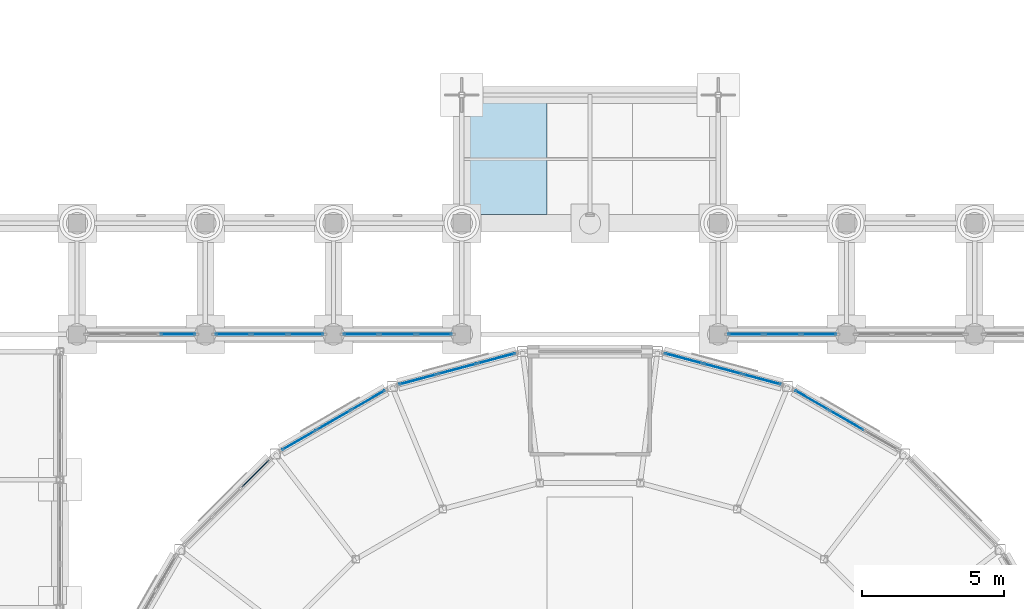
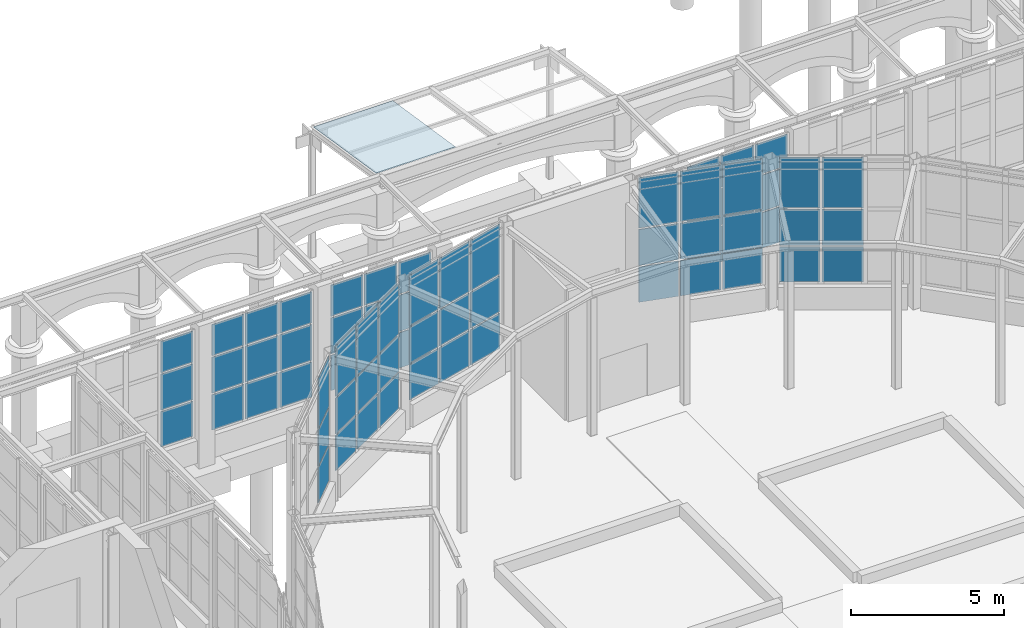
# One storey, part 60 of 106: 67 plates, 9 elements without a shape of their own.
"""IFC4 building model written with IfcOpenShell, lengths in metres."""

from ifc_helpers import new_model, si_unit, direction, frame, origin, origin_2d, place, context, subcontext, project, spatial, polyline, rectangle, outline, extrude, material, layer, layer_set, type_object, element, aggregate, save


model = new_model("IFC4")

# Units and contexts
model_context = context("Model", 3, precision=1e-05, world=origin(), true_north=direction((0.0, 1.0)))
body_context = subcontext(model_context, "Body", "Model", "MODEL_VIEW")
ifc_project = project(units=[si_unit("LENGTHUNIT", "METRE"), si_unit("AREAUNIT", "SQUARE_METRE"), si_unit("VOLUMEUNIT", "CUBIC_METRE"), si_unit("PLANEANGLEUNIT", "RADIAN"), si_unit("MASSUNIT", "GRAM", prefix="KILO")], contexts=[model_context])

# Site, building, storey
site_placement = place(None, origin())
site = spatial("IfcSite", under=ifc_project, at=site_placement, CompositionType="ELEMENT")
building_placement = place(site_placement, origin())
building = spatial("IfcBuilding", under=site, at=building_placement, Name="Hortulan Conservatory and Botanical Research Centre", CompositionType="ELEMENT")
storey_placement = place(building_placement, origin())
storey = spatial("IfcBuildingStorey", under=building, at=storey_placement, Name="L00", CompositionType="ELEMENT", Elevation=0.0)

# Plate
ifc_material_1 = material(Name="Low-e laminated glass", Category="glass")
ifc_layer_1 = layer(ifc_material_1, 0.02099609375)
ifc_layer_set_1 = layer_set([ifc_layer_1], Name="Canopy Glazing Panel 21")
plate_type_1 = type_object("IfcPlateType", Name="Canopy Glazing Panel 21", PredefinedType="SHEET", material=ifc_layer_set_1)
plate_1_placement = place(storey_placement, frame((49.5, 40.800048828125, 5.67431640625), z_axis=(0.0, 0.153692962705, 0.988118653409), x_axis=(1.0, 0.0, 0.0)))
element("IfcPlate", 1, at=plate_1_placement, inside=storey, type_object=plate_type_1, Name="Canopy glazing panel", PredefinedType="SHEET", context=body_context, shape_type="SweptSolid", body=[
    extrude(outline(polyline([(0.0, 0.0), (3.0, 0.0), (3.0, 4.149151016915044), (0.0, 4.149151016915044), (0.0, 0.0)])), origin(), (0.0, 0.0, -1.0), 0.02099609375),
])

# Curtain wall, plates
ifc_material_2 = material(Name="Bronze-finished aluminium", Category="aluminium")
ifc_layer_2 = layer(ifc_material_2, 0.10009765625)
ifc_layer_set_2 = layer_set([ifc_layer_2], Name="Bronze-framed Curtain Wall 1500 module")
curtain_wall_type = type_object("IfcCurtainWallType", Name="Bronze-framed Curtain Wall 1500 module", PredefinedType="NOTDEFINED", material=ifc_layer_set_2)
curtain_wall_1_placement = place(storey_placement, origin())
curtain_wall_1 = element("IfcCurtainWall", 2, at=curtain_wall_1_placement, inside=storey, type_object=curtain_wall_type, Name="Curtain wall", PredefinedType="NOTDEFINED")
ifc_layer_3 = layer(ifc_material_1, 0.028076171875)
ifc_layer_set_3 = layer_set([ifc_layer_3], Name="Laminated Glass Panel 28")
plate_type_2 = type_object("IfcPlateType", Name="Laminated Glass Panel 28", PredefinedType="CURTAIN_PANEL", material=ifc_layer_set_3)
plate_2_placement = place(storey_placement, frame((61.782958984375, 34.291015625, 0.9599609375), z_axis=(0.0, 0.0, 1.0), x_axis=(0.866036280655, -0.499981160235, 0.0)))
plate_2 = element("IfcPlate", 3, at=plate_2_placement, type_object=plate_type_2, Name="CW1 panel 1.1", PredefinedType="CURTAIN_PANEL", context=body_context, shape_type="SweptSolid", body=[
    extrude(rectangle(XDim=1.330078125, YDim=0.028076171875, at=origin_2d()), origin(), (0.0, 0.0, 1.0), 1.409912109375),
])
plate_3_placement = place(storey_placement, frame((61.782958984375, 34.291015625, 2.429931640625), z_axis=(0.0, 0.0, 1.0), x_axis=(0.866036280655, -0.499981160235, 0.0)))
plate_3 = element("IfcPlate", 4, at=plate_3_placement, type_object=plate_type_2, Name="CW1 panel 1.2", PredefinedType="CURTAIN_PANEL", context=body_context, shape_type="SweptSolid", body=[
    extrude(rectangle(XDim=1.330078125, YDim=0.028076171875, at=origin_2d()), origin(), (0.0, 0.0, 1.0), 1.43994140625),
])
plate_4_placement = place(storey_placement, frame((61.782958984375, 34.291015625, 3.93017578125), z_axis=(0.0, 0.0, 1.0), x_axis=(0.866036280655, -0.499981160235, 0.0)))
plate_4 = element("IfcPlate", 5, at=plate_4_placement, type_object=plate_type_2, Name="CW1 panel 1.3", PredefinedType="CURTAIN_PANEL", context=body_context, shape_type="SweptSolid", body=[
    extrude(rectangle(XDim=1.330078125, YDim=0.028076171875, at=origin_2d()), origin(), (0.0, 0.0, 1.0), 2.010009765625),
])
plate_5_placement = place(storey_placement, frame((63.0, 33.58837890625, 0.9599609375), z_axis=(0.0, 0.0, 1.0), x_axis=(0.866036280655, -0.499981160235, 0.0)))
plate_5 = element("IfcPlate", 6, at=plate_5_placement, type_object=plate_type_2, Name="CW1 panel 2.1", PredefinedType="CURTAIN_PANEL", context=body_context, shape_type="SweptSolid", body=[
    extrude(rectangle(XDim=1.360107421875, YDim=0.028076171875, at=origin_2d()), origin(), (0.0, 0.0, 1.0), 1.409912109375),
])
plate_6_placement = place(storey_placement, frame((63.0, 33.58837890625, 2.429931640625), z_axis=(0.0, 0.0, 1.0), x_axis=(0.866036280655, -0.499981160235, 0.0)))
plate_6 = element("IfcPlate", 7, at=plate_6_placement, type_object=plate_type_2, Name="CW1 panel 2.2", PredefinedType="CURTAIN_PANEL", context=body_context, shape_type="SweptSolid", body=[
    extrude(rectangle(XDim=1.360107421875, YDim=0.028076171875, at=origin_2d()), origin(), (0.0, 0.0, 1.0), 1.43994140625),
])
plate_7_placement = place(storey_placement, frame((63.0, 33.58837890625, 3.93017578125), z_axis=(0.0, 0.0, 1.0), x_axis=(0.866036280655, -0.499981160235, 0.0)))
plate_7 = element("IfcPlate", 8, at=plate_7_placement, type_object=plate_type_2, Name="CW1 panel 2.3", PredefinedType="CURTAIN_PANEL", context=body_context, shape_type="SweptSolid", body=[
    extrude(rectangle(XDim=1.360107421875, YDim=0.028076171875, at=origin_2d()), origin(), (0.0, 0.0, 1.0), 2.010009765625),
])
aggregate(curtain_wall_1, [plate_2, plate_3, plate_4, plate_5, plate_6, plate_7])

curtain_wall_2_placement = place(storey_placement, origin())
curtain_wall_2 = element("IfcCurtainWall", 9, at=curtain_wall_2_placement, inside=storey, type_object=curtain_wall_type, Name="Curtain wall", PredefinedType="NOTDEFINED")
plate_8_placement = place(storey_placement, frame((57.285400390625, 35.754638671875, 0.9599609375), z_axis=(0.0, 0.0, 1.0), x_axis=(0.965922372015, -0.258831936284, 0.0)))
plate_8 = element("IfcPlate", 10, at=plate_8_placement, type_object=plate_type_2, Name="CW1 panel 1.1", PredefinedType="CURTAIN_PANEL", context=body_context, shape_type="SweptSolid", body=[
    extrude(rectangle(XDim=1.346923828125, YDim=0.028076171875, at=origin_2d()), origin(), (0.0, 0.0, 1.0), 1.409912109375),
])
plate_9_placement = place(storey_placement, frame((57.285400390625, 35.754638671875, 2.429931640625), z_axis=(0.0, 0.0, 1.0), x_axis=(0.965922372015, -0.258831936284, 0.0)))
plate_9 = element("IfcPlate", 11, at=plate_9_placement, type_object=plate_type_2, Name="CW1 panel 1.2", PredefinedType="CURTAIN_PANEL", context=body_context, shape_type="SweptSolid", body=[
    extrude(rectangle(XDim=1.346923828125, YDim=0.028076171875, at=origin_2d()), origin(), (0.0, 0.0, 1.0), 1.43994140625),
])
plate_10_placement = place(storey_placement, frame((57.285400390625, 35.754638671875, 3.93017578125), z_axis=(0.0, 0.0, 1.0), x_axis=(0.965922372015, -0.258831936284, 0.0)))
plate_10 = element("IfcPlate", 12, at=plate_10_placement, type_object=plate_type_2, Name="CW1 panel 1.3", PredefinedType="CURTAIN_PANEL", context=body_context, shape_type="SweptSolid", body=[
    extrude(rectangle(XDim=1.346923828125, YDim=0.028076171875, at=origin_2d()), origin(), (0.0, 0.0, 1.0), 2.010009765625),
])
plate_11_placement = place(storey_placement, frame((58.658935546875, 35.38671875, 0.9599609375), z_axis=(0.0, 0.0, 1.0), x_axis=(0.965922372015, -0.258831936284, 0.0)))
plate_11 = element("IfcPlate", 13, at=plate_11_placement, type_object=plate_type_2, Name="CW1 panel 2.1", PredefinedType="CURTAIN_PANEL", context=body_context, shape_type="SweptSolid", body=[
    extrude(rectangle(XDim=1.376953125, YDim=0.028076171875, at=origin_2d()), origin(), (0.0, 0.0, 1.0), 1.409912109375),
])
plate_12_placement = place(storey_placement, frame((58.658935546875, 35.38671875, 2.429931640625), z_axis=(0.0, 0.0, 1.0), x_axis=(0.965922372015, -0.258831936284, 0.0)))
plate_12 = element("IfcPlate", 14, at=plate_12_placement, type_object=plate_type_2, Name="CW1 panel 2.2", PredefinedType="CURTAIN_PANEL", context=body_context, shape_type="SweptSolid", body=[
    extrude(rectangle(XDim=1.376953125, YDim=0.028076171875, at=origin_2d()), origin(), (0.0, 0.0, 1.0), 1.43994140625),
])
plate_13_placement = place(storey_placement, frame((58.658935546875, 35.38671875, 3.93017578125), z_axis=(0.0, 0.0, 1.0), x_axis=(0.965922372015, -0.258831936284, 0.0)))
plate_13 = element("IfcPlate", 15, at=plate_13_placement, type_object=plate_type_2, Name="CW1 panel 2.3", PredefinedType="CURTAIN_PANEL", context=body_context, shape_type="SweptSolid", body=[
    extrude(rectangle(XDim=1.376953125, YDim=0.028076171875, at=origin_2d()), origin(), (0.0, 0.0, 1.0), 2.010009765625),
])
plate_14_placement = place(storey_placement, frame((60.032470703125, 35.0185546875, 0.9599609375), z_axis=(0.0, 0.0, 1.0), x_axis=(0.965922372015, -0.258831936284, 0.0)))
plate_14 = element("IfcPlate", 16, at=plate_14_placement, type_object=plate_type_2, Name="CW1 panel 3.1", PredefinedType="CURTAIN_PANEL", context=body_context, shape_type="SweptSolid", body=[
    extrude(rectangle(XDim=1.346923828125, YDim=0.028076171875, at=origin_2d()), origin(), (0.0, 0.0, 1.0), 1.409912109375),
])
plate_15_placement = place(storey_placement, frame((60.032470703125, 35.0185546875, 2.429931640625), z_axis=(0.0, 0.0, 1.0), x_axis=(0.965922372015, -0.258831936284, 0.0)))
plate_15 = element("IfcPlate", 17, at=plate_15_placement, type_object=plate_type_2, Name="CW1 panel 3.2", PredefinedType="CURTAIN_PANEL", context=body_context, shape_type="SweptSolid", body=[
    extrude(rectangle(XDim=1.346923828125, YDim=0.028076171875, at=origin_2d()), origin(), (0.0, 0.0, 1.0), 1.43994140625),
])
plate_16_placement = place(storey_placement, frame((60.032470703125, 35.0185546875, 3.93017578125), z_axis=(0.0, 0.0, 1.0), x_axis=(0.965922372015, -0.258831936284, 0.0)))
plate_16 = element("IfcPlate", 18, at=plate_16_placement, type_object=plate_type_2, Name="CW1 panel 3.3", PredefinedType="CURTAIN_PANEL", context=body_context, shape_type="SweptSolid", body=[
    extrude(rectangle(XDim=1.346923828125, YDim=0.028076171875, at=origin_2d()), origin(), (0.0, 0.0, 1.0), 2.010009765625),
])
aggregate(curtain_wall_2, [plate_8, plate_9, plate_10, plate_11, plate_12, plate_13, plate_14, plate_15, plate_16])

curtain_wall_3_placement = place(storey_placement, origin())
curtain_wall_3 = element("IfcCurtainWall", 19, at=curtain_wall_3_placement, inside=storey, type_object=curtain_wall_type, Name="Curtain wall", PredefinedType="NOTDEFINED")
plate_17_placement = place(storey_placement, frame((47.967529296875, 35.0185546875, 0.9599609375), z_axis=(0.0, 0.0, 1.0), x_axis=(0.965922372015, 0.258831936284, 0.0)))
plate_17 = element("IfcPlate", 20, at=plate_17_placement, type_object=plate_type_2, Name="CW1 panel 1.1", PredefinedType="CURTAIN_PANEL", context=body_context, shape_type="SweptSolid", body=[
    extrude(rectangle(XDim=1.346923828125, YDim=0.028076171875, at=origin_2d()), origin(), (0.0, 0.0, 1.0), 1.409912109375),
])
plate_18_placement = place(storey_placement, frame((47.967529296875, 35.0185546875, 2.429931640625), z_axis=(0.0, 0.0, 1.0), x_axis=(0.965922372015, 0.258831936284, 0.0)))
plate_18 = element("IfcPlate", 21, at=plate_18_placement, type_object=plate_type_2, Name="CW1 panel 1.2", PredefinedType="CURTAIN_PANEL", context=body_context, shape_type="SweptSolid", body=[
    extrude(rectangle(XDim=1.346923828125, YDim=0.028076171875, at=origin_2d()), origin(), (0.0, 0.0, 1.0), 1.43994140625),
])
plate_19_placement = place(storey_placement, frame((47.967529296875, 35.0185546875, 3.93017578125), z_axis=(0.0, 0.0, 1.0), x_axis=(0.965922372015, 0.258831936284, 0.0)))
plate_19 = element("IfcPlate", 22, at=plate_19_placement, type_object=plate_type_2, Name="CW1 panel 1.3", PredefinedType="CURTAIN_PANEL", context=body_context, shape_type="SweptSolid", body=[
    extrude(rectangle(XDim=1.346923828125, YDim=0.028076171875, at=origin_2d()), origin(), (0.0, 0.0, 1.0), 2.010009765625),
])
plate_20_placement = place(storey_placement, frame((49.341064453125, 35.38671875, 0.9599609375), z_axis=(0.0, 0.0, 1.0), x_axis=(0.965922372015, 0.258831936284, 0.0)))
plate_20 = element("IfcPlate", 23, at=plate_20_placement, type_object=plate_type_2, Name="CW1 panel 2.1", PredefinedType="CURTAIN_PANEL", context=body_context, shape_type="SweptSolid", body=[
    extrude(rectangle(XDim=1.376953125, YDim=0.028076171875, at=origin_2d()), origin(), (0.0, 0.0, 1.0), 1.409912109375),
])
plate_21_placement = place(storey_placement, frame((49.341064453125, 35.38671875, 2.429931640625), z_axis=(0.0, 0.0, 1.0), x_axis=(0.965922372015, 0.258831936284, 0.0)))
plate_21 = element("IfcPlate", 24, at=plate_21_placement, type_object=plate_type_2, Name="CW1 panel 2.2", PredefinedType="CURTAIN_PANEL", context=body_context, shape_type="SweptSolid", body=[
    extrude(rectangle(XDim=1.376953125, YDim=0.028076171875, at=origin_2d()), origin(), (0.0, 0.0, 1.0), 1.43994140625),
])
plate_22_placement = place(storey_placement, frame((49.341064453125, 35.38671875, 3.93017578125), z_axis=(0.0, 0.0, 1.0), x_axis=(0.965922372015, 0.258831936284, 0.0)))
plate_22 = element("IfcPlate", 25, at=plate_22_placement, type_object=plate_type_2, Name="CW1 panel 2.3", PredefinedType="CURTAIN_PANEL", context=body_context, shape_type="SweptSolid", body=[
    extrude(rectangle(XDim=1.376953125, YDim=0.028076171875, at=origin_2d()), origin(), (0.0, 0.0, 1.0), 2.010009765625),
])
plate_23_placement = place(storey_placement, frame((50.714599609375, 35.754638671875, 0.9599609375), z_axis=(0.0, 0.0, 1.0), x_axis=(0.965922372015, 0.258831936284, 0.0)))
plate_23 = element("IfcPlate", 26, at=plate_23_placement, type_object=plate_type_2, Name="CW1 panel 3.1", PredefinedType="CURTAIN_PANEL", context=body_context, shape_type="SweptSolid", body=[
    extrude(rectangle(XDim=1.346923828125, YDim=0.028076171875, at=origin_2d()), origin(), (0.0, 0.0, 1.0), 1.409912109375),
])
plate_24_placement = place(storey_placement, frame((50.714599609375, 35.754638671875, 2.429931640625), z_axis=(0.0, 0.0, 1.0), x_axis=(0.965922372015, 0.258831936284, 0.0)))
plate_24 = element("IfcPlate", 27, at=plate_24_placement, type_object=plate_type_2, Name="CW1 panel 3.2", PredefinedType="CURTAIN_PANEL", context=body_context, shape_type="SweptSolid", body=[
    extrude(rectangle(XDim=1.346923828125, YDim=0.028076171875, at=origin_2d()), origin(), (0.0, 0.0, 1.0), 1.43994140625),
])
plate_25_placement = place(storey_placement, frame((50.714599609375, 35.754638671875, 3.93017578125), z_axis=(0.0, 0.0, 1.0), x_axis=(0.965922372015, 0.258831936284, 0.0)))
plate_25 = element("IfcPlate", 28, at=plate_25_placement, type_object=plate_type_2, Name="CW1 panel 3.3", PredefinedType="CURTAIN_PANEL", context=body_context, shape_type="SweptSolid", body=[
    extrude(rectangle(XDim=1.346923828125, YDim=0.028076171875, at=origin_2d()), origin(), (0.0, 0.0, 1.0), 2.010009765625),
])
aggregate(curtain_wall_3, [plate_17, plate_18, plate_19, plate_20, plate_21, plate_22, plate_23, plate_24, plate_25])

curtain_wall_4_placement = place(storey_placement, origin())
curtain_wall_4 = element("IfcCurtainWall", 29, at=curtain_wall_4_placement, inside=storey, type_object=curtain_wall_type, Name="Curtain wall", PredefinedType="NOTDEFINED")
plate_26_placement = place(storey_placement, frame((43.782958984375, 32.885986328125, 0.9599609375), z_axis=(0.0, 0.0, 1.0), x_axis=(0.866036280655, 0.499981160235, 0.0)))
plate_26 = element("IfcPlate", 30, at=plate_26_placement, type_object=plate_type_2, Name="CW1 panel 1.1", PredefinedType="CURTAIN_PANEL", context=body_context, shape_type="SweptSolid", body=[
    extrude(rectangle(XDim=1.330078125, YDim=0.028076171875, at=origin_2d()), origin(), (0.0, 0.0, 1.0), 1.409912109375),
])
plate_27_placement = place(storey_placement, frame((43.782958984375, 32.885986328125, 2.429931640625), z_axis=(0.0, 0.0, 1.0), x_axis=(0.866036280655, 0.499981160235, 0.0)))
plate_27 = element("IfcPlate", 31, at=plate_27_placement, type_object=plate_type_2, Name="CW1 panel 1.2", PredefinedType="CURTAIN_PANEL", context=body_context, shape_type="SweptSolid", body=[
    extrude(rectangle(XDim=1.330078125, YDim=0.028076171875, at=origin_2d()), origin(), (0.0, 0.0, 1.0), 1.43994140625),
])
plate_28_placement = place(storey_placement, frame((43.782958984375, 32.885986328125, 3.93017578125), z_axis=(0.0, 0.0, 1.0), x_axis=(0.866036280655, 0.499981160235, 0.0)))
plate_28 = element("IfcPlate", 32, at=plate_28_placement, type_object=plate_type_2, Name="CW1 panel 1.3", PredefinedType="CURTAIN_PANEL", context=body_context, shape_type="SweptSolid", body=[
    extrude(rectangle(XDim=1.330078125, YDim=0.028076171875, at=origin_2d()), origin(), (0.0, 0.0, 1.0), 2.010009765625),
])
plate_29_placement = place(storey_placement, frame((45.0, 33.58837890625, 0.9599609375), z_axis=(0.0, 0.0, 1.0), x_axis=(0.866036280655, 0.499981160235, 0.0)))
plate_29 = element("IfcPlate", 33, at=plate_29_placement, type_object=plate_type_2, Name="CW1 panel 2.1", PredefinedType="CURTAIN_PANEL", context=body_context, shape_type="SweptSolid", body=[
    extrude(rectangle(XDim=1.360107421875, YDim=0.028076171875, at=origin_2d()), origin(), (0.0, 0.0, 1.0), 1.409912109375),
])
plate_30_placement = place(storey_placement, frame((45.0, 33.58837890625, 2.429931640625), z_axis=(0.0, 0.0, 1.0), x_axis=(0.866036280655, 0.499981160235, 0.0)))
plate_30 = element("IfcPlate", 34, at=plate_30_placement, type_object=plate_type_2, Name="CW1 panel 2.2", PredefinedType="CURTAIN_PANEL", context=body_context, shape_type="SweptSolid", body=[
    extrude(rectangle(XDim=1.360107421875, YDim=0.028076171875, at=origin_2d()), origin(), (0.0, 0.0, 1.0), 1.43994140625),
])
plate_31_placement = place(storey_placement, frame((45.0, 33.58837890625, 3.93017578125), z_axis=(0.0, 0.0, 1.0), x_axis=(0.866036280655, 0.499981160235, 0.0)))
plate_31 = element("IfcPlate", 35, at=plate_31_placement, type_object=plate_type_2, Name="CW1 panel 2.3", PredefinedType="CURTAIN_PANEL", context=body_context, shape_type="SweptSolid", body=[
    extrude(rectangle(XDim=1.360107421875, YDim=0.028076171875, at=origin_2d()), origin(), (0.0, 0.0, 1.0), 2.010009765625),
])
plate_32_placement = place(storey_placement, frame((46.217041015625, 34.291015625, 0.9599609375), z_axis=(0.0, 0.0, 1.0), x_axis=(0.866036280655, 0.499981160235, 0.0)))
plate_32 = element("IfcPlate", 36, at=plate_32_placement, type_object=plate_type_2, Name="CW1 panel 3.1", PredefinedType="CURTAIN_PANEL", context=body_context, shape_type="SweptSolid", body=[
    extrude(rectangle(XDim=1.330078125, YDim=0.028076171875, at=origin_2d()), origin(), (0.0, 0.0, 1.0), 1.409912109375),
])
plate_33_placement = place(storey_placement, frame((46.217041015625, 34.291015625, 2.429931640625), z_axis=(0.0, 0.0, 1.0), x_axis=(0.866036280655, 0.499981160235, 0.0)))
plate_33 = element("IfcPlate", 37, at=plate_33_placement, type_object=plate_type_2, Name="CW1 panel 3.2", PredefinedType="CURTAIN_PANEL", context=body_context, shape_type="SweptSolid", body=[
    extrude(rectangle(XDim=1.330078125, YDim=0.028076171875, at=origin_2d()), origin(), (0.0, 0.0, 1.0), 1.43994140625),
])
plate_34_placement = place(storey_placement, frame((46.217041015625, 34.291015625, 3.93017578125), z_axis=(0.0, 0.0, 1.0), x_axis=(0.866036280655, 0.499981160235, 0.0)))
plate_34 = element("IfcPlate", 38, at=plate_34_placement, type_object=plate_type_2, Name="CW1 panel 3.3", PredefinedType="CURTAIN_PANEL", context=body_context, shape_type="SweptSolid", body=[
    extrude(rectangle(XDim=1.330078125, YDim=0.028076171875, at=origin_2d()), origin(), (0.0, 0.0, 1.0), 2.010009765625),
])
aggregate(curtain_wall_4, [plate_26, plate_27, plate_28, plate_29, plate_30, plate_31, plate_32, plate_33, plate_34])

curtain_wall_5_placement = place(storey_placement, origin())
curtain_wall_5 = element("IfcCurtainWall", 39, at=curtain_wall_5_placement, inside=storey, type_object=curtain_wall_type, Name="Curtain wall", PredefinedType="NOTDEFINED")
plate_35_placement = place(storey_placement, frame((42.26220703125, 31.718017578125, 0.9599609375), z_axis=(0.0, 0.0, 1.0), x_axis=(0.707095004018, 0.707118558159, 0.0)))
plate_35 = element("IfcPlate", 40, at=plate_35_placement, type_object=plate_type_2, Name="CW1 panel 3.1", PredefinedType="CURTAIN_PANEL", context=body_context, shape_type="SweptSolid", body=[
    extrude(rectangle(XDim=1.3251953125, YDim=0.028076171875, at=origin_2d()), origin(), (0.0, 0.0, 1.0), 1.409912109375),
])
plate_36_placement = place(storey_placement, frame((42.26220703125, 31.718017578125, 2.429931640625), z_axis=(0.0, 0.0, 1.0), x_axis=(0.707095004018, 0.707118558159, 0.0)))
plate_36 = element("IfcPlate", 41, at=plate_36_placement, type_object=plate_type_2, Name="CW1 panel 3.2", PredefinedType="CURTAIN_PANEL", context=body_context, shape_type="SweptSolid", body=[
    extrude(rectangle(XDim=1.3251953125, YDim=0.028076171875, at=origin_2d()), origin(), (0.0, 0.0, 1.0), 1.43994140625),
])
plate_37_placement = place(storey_placement, frame((42.26220703125, 31.718017578125, 3.93017578125), z_axis=(0.0, 0.0, 1.0), x_axis=(0.707095004018, 0.707118558159, 0.0)))
plate_37 = element("IfcPlate", 42, at=plate_37_placement, type_object=plate_type_2, Name="CW1 panel 3.3", PredefinedType="CURTAIN_PANEL", context=body_context, shape_type="SweptSolid", body=[
    extrude(rectangle(XDim=1.3251953125, YDim=0.028076171875, at=origin_2d()), origin(), (0.0, 0.0, 1.0), 2.010009765625),
])
aggregate(curtain_wall_5, [plate_35, plate_36, plate_37])

curtain_wall_6_placement = place(storey_placement, origin())
curtain_wall_6 = element("IfcCurtainWall", 43, at=curtain_wall_6_placement, inside=storey, type_object=curtain_wall_type, Name="Curtain wall", PredefinedType="NOTDEFINED")
plate_38_placement = place(storey_placement, frame((39.534912109375, 36.60009765625, 0.9599609375), z_axis=(0.0, 0.0, 1.0), x_axis=(1.0, 0.0, 0.0)))
plate_38 = element("IfcPlate", 44, at=plate_38_placement, type_object=plate_type_2, Name="CW1 panel 3.1", PredefinedType="CURTAIN_PANEL", context=body_context, shape_type="SweptSolid", body=[
    extrude(rectangle(XDim=1.2099609375, YDim=0.028076171875, at=origin_2d()), origin(), (0.0, 0.0, 1.0), 1.409912109375),
])
plate_39_placement = place(storey_placement, frame((39.534912109375, 36.60009765625, 2.429931640625), z_axis=(0.0, 0.0, 1.0), x_axis=(1.0, 0.0, 0.0)))
plate_39 = element("IfcPlate", 45, at=plate_39_placement, type_object=plate_type_2, Name="CW1 panel 3.2", PredefinedType="CURTAIN_PANEL", context=body_context, shape_type="SweptSolid", body=[
    extrude(rectangle(XDim=1.2099609375, YDim=0.028076171875, at=origin_2d()), origin(), (0.0, 0.0, 1.0), 1.43994140625),
])
plate_40_placement = place(storey_placement, frame((39.534912109375, 36.60009765625, 3.929931640625), z_axis=(0.0, 0.0, 1.0), x_axis=(1.0, 0.0, 0.0)))
plate_40 = element("IfcPlate", 46, at=plate_40_placement, type_object=plate_type_2, Name="CW1 panel 3.3", PredefinedType="CURTAIN_PANEL", context=body_context, shape_type="SweptSolid", body=[
    extrude(rectangle(XDim=1.2099609375, YDim=0.028076171875, at=origin_2d()), origin(), (0.0, 0.0, 1.0), 1.25),
])
aggregate(curtain_wall_6, [plate_38, plate_39, plate_40])

curtain_wall_7_placement = place(storey_placement, origin())
curtain_wall_7 = element("IfcCurtainWall", 47, at=curtain_wall_7_placement, inside=storey, type_object=curtain_wall_type, Name="Curtain wall", PredefinedType="NOTDEFINED")
plate_41_placement = place(storey_placement, frame((41.465087890625, 36.60009765625, 0.9599609375), z_axis=(0.0, 0.0, 1.0), x_axis=(1.0, 0.0, 0.0)))
plate_41 = element("IfcPlate", 48, at=plate_41_placement, type_object=plate_type_2, Name="CW1 panel 1.1", PredefinedType="CURTAIN_PANEL", context=body_context, shape_type="SweptSolid", body=[
    extrude(rectangle(XDim=1.2099609375, YDim=0.028076171875, at=origin_2d()), origin(), (0.0, 0.0, 1.0), 1.409912109375),
])
plate_42_placement = place(storey_placement, frame((41.465087890625, 36.60009765625, 2.429931640625), z_axis=(0.0, 0.0, 1.0), x_axis=(1.0, 0.0, 0.0)))
plate_42 = element("IfcPlate", 49, at=plate_42_placement, type_object=plate_type_2, Name="CW1 panel 1.2", PredefinedType="CURTAIN_PANEL", context=body_context, shape_type="SweptSolid", body=[
    extrude(rectangle(XDim=1.2099609375, YDim=0.028076171875, at=origin_2d()), origin(), (0.0, 0.0, 1.0), 1.43994140625),
])
plate_43_placement = place(storey_placement, frame((41.465087890625, 36.60009765625, 3.929931640625), z_axis=(0.0, 0.0, 1.0), x_axis=(1.0, 0.0, 0.0)))
plate_43 = element("IfcPlate", 50, at=plate_43_placement, type_object=plate_type_2, Name="CW1 panel 1.3", PredefinedType="CURTAIN_PANEL", context=body_context, shape_type="SweptSolid", body=[
    extrude(rectangle(XDim=1.2099609375, YDim=0.028076171875, at=origin_2d()), origin(), (0.0, 0.0, 1.0), 1.25),
])
plate_44_placement = place(storey_placement, frame((42.75, 36.60009765625, 0.9599609375), z_axis=(0.0, 0.0, 1.0), x_axis=(1.0, 0.0, 0.0)))
plate_44 = element("IfcPlate", 51, at=plate_44_placement, type_object=plate_type_2, Name="CW1 panel 2.1", PredefinedType="CURTAIN_PANEL", context=body_context, shape_type="SweptSolid", body=[
    extrude(rectangle(XDim=1.239990234375, YDim=0.028076171875, at=origin_2d()), origin(), (0.0, 0.0, 1.0), 1.409912109375),
])
plate_45_placement = place(storey_placement, frame((42.75, 36.60009765625, 2.429931640625), z_axis=(0.0, 0.0, 1.0), x_axis=(1.0, 0.0, 0.0)))
plate_45 = element("IfcPlate", 52, at=plate_45_placement, type_object=plate_type_2, Name="CW1 panel 2.2", PredefinedType="CURTAIN_PANEL", context=body_context, shape_type="SweptSolid", body=[
    extrude(rectangle(XDim=1.239990234375, YDim=0.028076171875, at=origin_2d()), origin(), (0.0, 0.0, 1.0), 1.43994140625),
])
plate_46_placement = place(storey_placement, frame((42.75, 36.60009765625, 3.929931640625), z_axis=(0.0, 0.0, 1.0), x_axis=(1.0, 0.0, 0.0)))
plate_46 = element("IfcPlate", 53, at=plate_46_placement, type_object=plate_type_2, Name="CW1 panel 2.3", PredefinedType="CURTAIN_PANEL", context=body_context, shape_type="SweptSolid", body=[
    extrude(rectangle(XDim=1.239990234375, YDim=0.028076171875, at=origin_2d()), origin(), (0.0, 0.0, 1.0), 1.25),
])
plate_47_placement = place(storey_placement, frame((44.034912109375, 36.60009765625, 0.9599609375), z_axis=(0.0, 0.0, 1.0), x_axis=(1.0, 0.0, 0.0)))
plate_47 = element("IfcPlate", 54, at=plate_47_placement, type_object=plate_type_2, Name="CW1 panel 3.1", PredefinedType="CURTAIN_PANEL", context=body_context, shape_type="SweptSolid", body=[
    extrude(rectangle(XDim=1.2099609375, YDim=0.028076171875, at=origin_2d()), origin(), (0.0, 0.0, 1.0), 1.409912109375),
])
plate_48_placement = place(storey_placement, frame((44.034912109375, 36.60009765625, 2.429931640625), z_axis=(0.0, 0.0, 1.0), x_axis=(1.0, 0.0, 0.0)))
plate_48 = element("IfcPlate", 55, at=plate_48_placement, type_object=plate_type_2, Name="CW1 panel 3.2", PredefinedType="CURTAIN_PANEL", context=body_context, shape_type="SweptSolid", body=[
    extrude(rectangle(XDim=1.2099609375, YDim=0.028076171875, at=origin_2d()), origin(), (0.0, 0.0, 1.0), 1.43994140625),
])
plate_49_placement = place(storey_placement, frame((44.034912109375, 36.60009765625, 3.929931640625), z_axis=(0.0, 0.0, 1.0), x_axis=(1.0, 0.0, 0.0)))
plate_49 = element("IfcPlate", 56, at=plate_49_placement, type_object=plate_type_2, Name="CW1 panel 3.3", PredefinedType="CURTAIN_PANEL", context=body_context, shape_type="SweptSolid", body=[
    extrude(rectangle(XDim=1.2099609375, YDim=0.028076171875, at=origin_2d()), origin(), (0.0, 0.0, 1.0), 1.25),
])
aggregate(curtain_wall_7, [plate_41, plate_42, plate_43, plate_44, plate_45, plate_46, plate_47, plate_48, plate_49])

curtain_wall_8_placement = place(storey_placement, origin())
curtain_wall_8 = element("IfcCurtainWall", 57, at=curtain_wall_8_placement, inside=storey, type_object=curtain_wall_type, Name="Curtain wall", PredefinedType="NOTDEFINED")
plate_50_placement = place(storey_placement, frame((45.965087890625, 36.60009765625, 0.9599609375), z_axis=(0.0, 0.0, 1.0), x_axis=(1.0, 0.0, 0.0)))
plate_50 = element("IfcPlate", 58, at=plate_50_placement, type_object=plate_type_2, Name="CW1 panel 1.1", PredefinedType="CURTAIN_PANEL", context=body_context, shape_type="SweptSolid", body=[
    extrude(rectangle(XDim=1.2099609375, YDim=0.028076171875, at=origin_2d()), origin(), (0.0, 0.0, 1.0), 1.409912109375),
])
plate_51_placement = place(storey_placement, frame((45.965087890625, 36.60009765625, 2.429931640625), z_axis=(0.0, 0.0, 1.0), x_axis=(1.0, 0.0, 0.0)))
plate_51 = element("IfcPlate", 59, at=plate_51_placement, type_object=plate_type_2, Name="CW1 panel 1.2", PredefinedType="CURTAIN_PANEL", context=body_context, shape_type="SweptSolid", body=[
    extrude(rectangle(XDim=1.2099609375, YDim=0.028076171875, at=origin_2d()), origin(), (0.0, 0.0, 1.0), 1.43994140625),
])
plate_52_placement = place(storey_placement, frame((45.965087890625, 36.60009765625, 3.929931640625), z_axis=(0.0, 0.0, 1.0), x_axis=(1.0, 0.0, 0.0)))
plate_52 = element("IfcPlate", 60, at=plate_52_placement, type_object=plate_type_2, Name="CW1 panel 1.3", PredefinedType="CURTAIN_PANEL", context=body_context, shape_type="SweptSolid", body=[
    extrude(rectangle(XDim=1.2099609375, YDim=0.028076171875, at=origin_2d()), origin(), (0.0, 0.0, 1.0), 1.25),
])
plate_53_placement = place(storey_placement, frame((47.25, 36.60009765625, 0.9599609375), z_axis=(0.0, 0.0, 1.0), x_axis=(1.0, 0.0, 0.0)))
plate_53 = element("IfcPlate", 61, at=plate_53_placement, type_object=plate_type_2, Name="CW1 panel 2.1", PredefinedType="CURTAIN_PANEL", context=body_context, shape_type="SweptSolid", body=[
    extrude(rectangle(XDim=1.239990234375, YDim=0.028076171875, at=origin_2d()), origin(), (0.0, 0.0, 1.0), 1.409912109375),
])
plate_54_placement = place(storey_placement, frame((47.25, 36.60009765625, 2.429931640625), z_axis=(0.0, 0.0, 1.0), x_axis=(1.0, 0.0, 0.0)))
plate_54 = element("IfcPlate", 62, at=plate_54_placement, type_object=plate_type_2, Name="CW1 panel 2.2", PredefinedType="CURTAIN_PANEL", context=body_context, shape_type="SweptSolid", body=[
    extrude(rectangle(XDim=1.239990234375, YDim=0.028076171875, at=origin_2d()), origin(), (0.0, 0.0, 1.0), 1.43994140625),
])
plate_55_placement = place(storey_placement, frame((47.25, 36.60009765625, 3.929931640625), z_axis=(0.0, 0.0, 1.0), x_axis=(1.0, 0.0, 0.0)))
plate_55 = element("IfcPlate", 63, at=plate_55_placement, type_object=plate_type_2, Name="CW1 panel 2.3", PredefinedType="CURTAIN_PANEL", context=body_context, shape_type="SweptSolid", body=[
    extrude(rectangle(XDim=1.239990234375, YDim=0.028076171875, at=origin_2d()), origin(), (0.0, 0.0, 1.0), 1.25),
])
plate_56_placement = place(storey_placement, frame((48.534912109375, 36.60009765625, 0.9599609375), z_axis=(0.0, 0.0, 1.0), x_axis=(1.0, 0.0, 0.0)))
plate_56 = element("IfcPlate", 64, at=plate_56_placement, type_object=plate_type_2, Name="CW1 panel 3.1", PredefinedType="CURTAIN_PANEL", context=body_context, shape_type="SweptSolid", body=[
    extrude(rectangle(XDim=1.2099609375, YDim=0.028076171875, at=origin_2d()), origin(), (0.0, 0.0, 1.0), 1.409912109375),
])
plate_57_placement = place(storey_placement, frame((48.534912109375, 36.60009765625, 2.429931640625), z_axis=(0.0, 0.0, 1.0), x_axis=(1.0, 0.0, 0.0)))
plate_57 = element("IfcPlate", 65, at=plate_57_placement, type_object=plate_type_2, Name="CW1 panel 3.2", PredefinedType="CURTAIN_PANEL", context=body_context, shape_type="SweptSolid", body=[
    extrude(rectangle(XDim=1.2099609375, YDim=0.028076171875, at=origin_2d()), origin(), (0.0, 0.0, 1.0), 1.43994140625),
])
plate_58_placement = place(storey_placement, frame((48.534912109375, 36.60009765625, 3.929931640625), z_axis=(0.0, 0.0, 1.0), x_axis=(1.0, 0.0, 0.0)))
plate_58 = element("IfcPlate", 66, at=plate_58_placement, type_object=plate_type_2, Name="CW1 panel 3.3", PredefinedType="CURTAIN_PANEL", context=body_context, shape_type="SweptSolid", body=[
    extrude(rectangle(XDim=1.2099609375, YDim=0.028076171875, at=origin_2d()), origin(), (0.0, 0.0, 1.0), 1.25),
])
aggregate(curtain_wall_8, [plate_50, plate_51, plate_52, plate_53, plate_54, plate_55, plate_56, plate_57, plate_58])

curtain_wall_9_placement = place(storey_placement, origin())
curtain_wall_9 = element("IfcCurtainWall", 67, at=curtain_wall_9_placement, inside=storey, type_object=curtain_wall_type, Name="Curtain wall", PredefinedType="NOTDEFINED")
plate_59_placement = place(storey_placement, frame((59.465087890625, 36.60009765625, 0.9599609375), z_axis=(0.0, 0.0, 1.0), x_axis=(1.0, 0.0, 0.0)))
plate_59 = element("IfcPlate", 68, at=plate_59_placement, type_object=plate_type_2, Name="CW1 panel 1.1", PredefinedType="CURTAIN_PANEL", context=body_context, shape_type="SweptSolid", body=[
    extrude(rectangle(XDim=1.2099609375, YDim=0.028076171875, at=origin_2d()), origin(), (0.0, 0.0, 1.0), 1.409912109375),
])
plate_60_placement = place(storey_placement, frame((59.465087890625, 36.60009765625, 2.429931640625), z_axis=(0.0, 0.0, 1.0), x_axis=(1.0, 0.0, 0.0)))
plate_60 = element("IfcPlate", 69, at=plate_60_placement, type_object=plate_type_2, Name="CW1 panel 1.2", PredefinedType="CURTAIN_PANEL", context=body_context, shape_type="SweptSolid", body=[
    extrude(rectangle(XDim=1.2099609375, YDim=0.028076171875, at=origin_2d()), origin(), (0.0, 0.0, 1.0), 1.43994140625),
])
plate_61_placement = place(storey_placement, frame((59.465087890625, 36.60009765625, 3.929931640625), z_axis=(0.0, 0.0, 1.0), x_axis=(1.0, 0.0, 0.0)))
plate_61 = element("IfcPlate", 70, at=plate_61_placement, type_object=plate_type_2, Name="CW1 panel 1.3", PredefinedType="CURTAIN_PANEL", context=body_context, shape_type="SweptSolid", body=[
    extrude(rectangle(XDim=1.2099609375, YDim=0.028076171875, at=origin_2d()), origin(), (0.0, 0.0, 1.0), 1.25),
])
plate_62_placement = place(storey_placement, frame((60.75, 36.60009765625, 0.9599609375), z_axis=(0.0, 0.0, 1.0), x_axis=(1.0, 0.0, 0.0)))
plate_62 = element("IfcPlate", 71, at=plate_62_placement, type_object=plate_type_2, Name="CW1 panel 2.1", PredefinedType="CURTAIN_PANEL", context=body_context, shape_type="SweptSolid", body=[
    extrude(rectangle(XDim=1.239990234375, YDim=0.028076171875, at=origin_2d()), origin(), (0.0, 0.0, 1.0), 1.409912109375),
])
plate_63_placement = place(storey_placement, frame((60.75, 36.60009765625, 2.429931640625), z_axis=(0.0, 0.0, 1.0), x_axis=(1.0, 0.0, 0.0)))
plate_63 = element("IfcPlate", 72, at=plate_63_placement, type_object=plate_type_2, Name="CW1 panel 2.2", PredefinedType="CURTAIN_PANEL", context=body_context, shape_type="SweptSolid", body=[
    extrude(rectangle(XDim=1.239990234375, YDim=0.028076171875, at=origin_2d()), origin(), (0.0, 0.0, 1.0), 1.43994140625),
])
plate_64_placement = place(storey_placement, frame((60.75, 36.60009765625, 3.929931640625), z_axis=(0.0, 0.0, 1.0), x_axis=(1.0, 0.0, 0.0)))
plate_64 = element("IfcPlate", 73, at=plate_64_placement, type_object=plate_type_2, Name="CW1 panel 2.3", PredefinedType="CURTAIN_PANEL", context=body_context, shape_type="SweptSolid", body=[
    extrude(rectangle(XDim=1.239990234375, YDim=0.028076171875, at=origin_2d()), origin(), (0.0, 0.0, 1.0), 1.25),
])
plate_65_placement = place(storey_placement, frame((62.034912109375, 36.60009765625, 0.9599609375), z_axis=(0.0, 0.0, 1.0), x_axis=(1.0, 0.0, 0.0)))
plate_65 = element("IfcPlate", 74, at=plate_65_placement, type_object=plate_type_2, Name="CW1 panel 3.1", PredefinedType="CURTAIN_PANEL", context=body_context, shape_type="SweptSolid", body=[
    extrude(rectangle(XDim=1.2099609375, YDim=0.028076171875, at=origin_2d()), origin(), (0.0, 0.0, 1.0), 1.409912109375),
])
plate_66_placement = place(storey_placement, frame((62.034912109375, 36.60009765625, 2.429931640625), z_axis=(0.0, 0.0, 1.0), x_axis=(1.0, 0.0, 0.0)))
plate_66 = element("IfcPlate", 75, at=plate_66_placement, type_object=plate_type_2, Name="CW1 panel 3.2", PredefinedType="CURTAIN_PANEL", context=body_context, shape_type="SweptSolid", body=[
    extrude(rectangle(XDim=1.2099609375, YDim=0.028076171875, at=origin_2d()), origin(), (0.0, 0.0, 1.0), 1.43994140625),
])
plate_67_placement = place(storey_placement, frame((62.034912109375, 36.60009765625, 3.929931640625), z_axis=(0.0, 0.0, 1.0), x_axis=(1.0, 0.0, 0.0)))
plate_67 = element("IfcPlate", 76, at=plate_67_placement, type_object=plate_type_2, Name="CW1 panel 3.3", PredefinedType="CURTAIN_PANEL", context=body_context, shape_type="SweptSolid", body=[
    extrude(rectangle(XDim=1.2099609375, YDim=0.028076171875, at=origin_2d()), origin(), (0.0, 0.0, 1.0), 1.25),
])
aggregate(curtain_wall_9, [plate_59, plate_60, plate_61, plate_62, plate_63, plate_64, plate_65, plate_66, plate_67])

save(model, "model.ifc")
